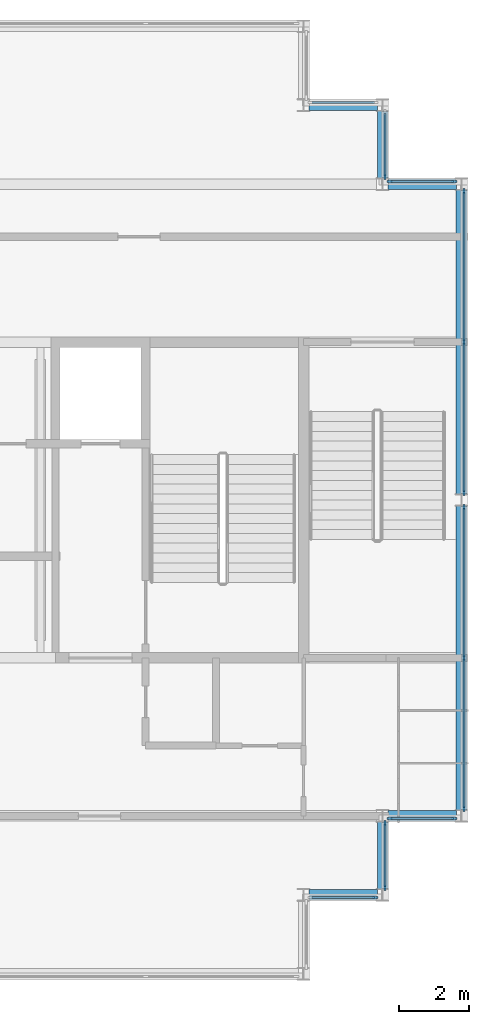
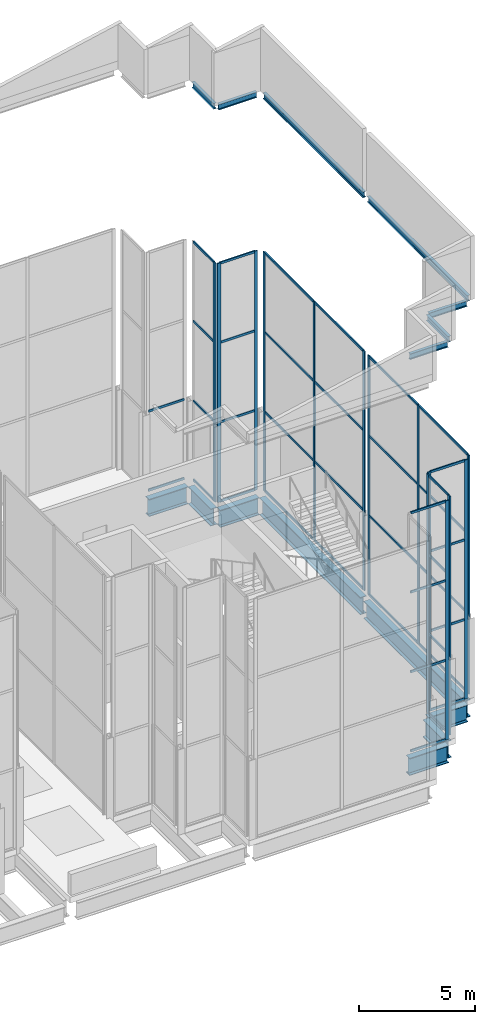
# One storey, part 9 of 23: 52 members, 15 beams, 8 elements without a shape of their own.
"""IFC4 building model written with IfcOpenShell, lengths in metres."""

from ifc_helpers import new_model, si_unit, direction, frame, origin, origin_2d, place, context, subcontext, project, spatial, rectangle, i_section, extrude, material, layer, layer_set, material_profile, profile_set, type_object, element, aggregate, save


model = new_model("IFC4")

# Units and contexts
model_context = context("Model", 3, precision=1e-05, world=origin(), true_north=direction((0.0, 1.0)))
body_context = subcontext(model_context, "Body", "Model", "MODEL_VIEW")
ifc_project = project(units=[si_unit("LENGTHUNIT", "METRE"), si_unit("AREAUNIT", "SQUARE_METRE"), si_unit("VOLUMEUNIT", "CUBIC_METRE"), si_unit("PLANEANGLEUNIT", "RADIAN"), si_unit("MASSUNIT", "GRAM", prefix="KILO")], contexts=[model_context])

# Site, building, storey
site_placement = place(None, origin())
site = spatial("IfcSite", under=ifc_project, at=site_placement, CompositionType="ELEMENT")
building_placement = place(site_placement, origin())
building = spatial("IfcBuilding", under=site, at=building_placement, Name="Caravel Reach Hotel and Residences", CompositionType="ELEMENT")
storey_placement = place(building_placement, frame((0.0, 0.0, 312.800048828125)))
storey = spatial("IfcBuildingStorey", under=building, at=storey_placement, Name="L79", CompositionType="ELEMENT", Elevation=312.800048828125)

# Beams
ifc_material_1 = material(Name="Structural steel Q355B", Category="steel")
ifc_material_profile_1 = material_profile(ifc_material_1, i_section(OverallWidth=0.14990234375, OverallDepth=0.300048828125, WebThickness=0.006591796875, FlangeThickness=0.009033203125, FilletRadius=0.012939453125, at=origin_2d()), Name="HN 300x150x6.5x9")
ifc_profile_set_1 = profile_set([ifc_material_profile_1], Name="Structural steel Q355B")
beam_type_1 = type_object("IfcBeamType", Name="Beam HN 300x150x6.5x9", PredefinedType="BEAM", material=ifc_profile_set_1)
for number, where, z_axis, x_axis, name in (
    (1, (45.175048828125, 15.675048828125, 20.849853515625), (1.0, 0.0, 0.0), (0.0, 1.0, 0.0), "Eave tie beam east 2.1"),
    (2, (47.324951171875, 15.925048828125, 20.849853515625), (0.0, 1.0, 0.0), (-1.0, 0.0, 0.0), "Eave tie beam east 3.1"),
    (3, (47.425048828125, 17.925048828125, 20.849853515625), (1.0, 0.0, 0.0), (0.0, 1.0, 0.0), "Eave tie beam east 4.1"),
):
    element("IfcBeam", number, at=place(storey_placement, frame(where, z_axis=z_axis, x_axis=x_axis)), inside=storey, type_object=beam_type_1, Name=name, PredefinedType="BEAM", context=body_context, shape_type="SweptSolid", body=[
        extrude(i_section(OverallWidth=0.14990234375, OverallDepth=0.300048828125, WebThickness=0.006591796875, FlangeThickness=0.009033203125, FilletRadius=0.012939453125, at=origin_2d()), origin(), (0.0, 0.0, 1.0), 1.89990234375),
    ])
for number, where, z_axis, x_axis, name in (
    (4, (49.574951171875, 18.175048828125, 20.849853515625), (0.0, 1.0, 0.0), (-1.0, 0.0, 0.0), "Eave tie beam east 5.1"),
    (5, (49.574951171875, 27.175048828125, 20.849853515625), (0.0, 1.0, 0.0), (-1.0, 0.0, 0.0), "Eave tie beam east 5.2"),
):
    element("IfcBeam", number, at=place(storey_placement, frame(where, z_axis=z_axis, x_axis=x_axis)), inside=storey, type_object=beam_type_1, Name=name, PredefinedType="BEAM", context=body_context, shape_type="SweptSolid", body=[
        extrude(i_section(OverallWidth=0.14990234375, OverallDepth=0.300048828125, WebThickness=0.006591796875, FlangeThickness=0.009033203125, FilletRadius=0.012939453125, at=origin_2d()), origin(), (0.0, 0.0, 1.0), 8.64990234375),
    ])
for number, where, z_axis, x_axis, name in (
    (6, (49.324951171875, 36.074951171875, 20.849853515625), (-1.0, 0.0, 0.0), (0.0, -1.0, 0.0), "Eave tie beam east 6.1"),
    (7, (47.324951171875, 36.175048828125, 20.849853515625), (0.0, 1.0, 0.0), (-1.0, 0.0, 0.0), "Eave tie beam east 7.1"),
):
    element("IfcBeam", number, at=place(storey_placement, frame(where, z_axis=z_axis, x_axis=x_axis)), inside=storey, type_object=beam_type_1, Name=name, PredefinedType="BEAM", context=body_context, shape_type="SweptSolid", body=[
        extrude(i_section(OverallWidth=0.14990234375, OverallDepth=0.300048828125, WebThickness=0.006591796875, FlangeThickness=0.009033203125, FilletRadius=0.012939453125, at=origin_2d()), origin(), (0.0, 0.0, 1.0), 1.89990234375),
    ])
ifc_material_2 = material(Name="Structural steel Q355B", Category="steel")
ifc_material_profile_2 = material_profile(ifc_material_2, i_section(OverallWidth=0.302001953125, OverallDepth=0.912109375, WebThickness=0.01806640625, FlangeThickness=0.033935546875, FilletRadius=0.01806640625, at=origin_2d()), Name="HN 900x300x18x34")
ifc_profile_set_2 = profile_set([ifc_material_profile_2], Name="Structural steel Q355B")
beam_type_2 = type_object("IfcBeamType", Name="Beam HN 900x300x18x34", PredefinedType="BEAM", material=ifc_profile_set_2)
for number, where, z_axis, x_axis, name in (
    (8, (45.14990234375, 15.75, -0.756103515625), (1.0, 0.0, 0.0), (0.0, 1.0, 0.0), "B10 HN 900x300x18x34"),
    (9, (47.25, 15.89990234375, -0.756103515625), (0.0, 1.0, 0.0), (-1.0, 0.0, 0.0), "B10 HN 900x300x18x34"),
    (10, (47.39990234375, 18.0, -0.756103515625), (1.0, 0.0, 0.0), (0.0, 1.0, 0.0), "B10 HN 900x300x18x34"),
):
    element("IfcBeam", number, at=place(storey_placement, frame(where, z_axis=z_axis, x_axis=x_axis)), inside=storey, type_object=beam_type_2, Name=name, PredefinedType="BEAM", context=body_context, shape_type="SweptSolid", body=[
        extrude(i_section(OverallWidth=0.302001953125, OverallDepth=0.912109375, WebThickness=0.01806640625, FlangeThickness=0.033935546875, FilletRadius=0.01806640625, at=origin_2d()), origin(), (0.0, 0.0, 1.0), 1.9501953125),
    ])
for number, where, z_axis, x_axis, name in (
    (11, (49.5, 18.14990234375, -0.756103515625), (0.0, 1.0, 0.0), (-1.0, 0.0, 0.0), "B10 HN 900x300x18x34"),
    (12, (49.5, 27.14990234375, -0.756103515625), (0.0, 1.0, 0.0), (-1.0, 0.0, 0.0), "B10 HN 900x300x18x34"),
):
    element("IfcBeam", number, at=place(storey_placement, frame(where, z_axis=z_axis, x_axis=x_axis)), inside=storey, type_object=beam_type_2, Name=name, PredefinedType="BEAM", context=body_context, shape_type="SweptSolid", body=[
        extrude(i_section(OverallWidth=0.302001953125, OverallDepth=0.912109375, WebThickness=0.01806640625, FlangeThickness=0.033935546875, FilletRadius=0.01806640625, at=origin_2d()), origin(), (0.0, 0.0, 1.0), 8.7001953125),
    ])
for number, where, z_axis, x_axis, name in (
    (13, (49.35009765625, 36.0, -0.756103515625), (-1.0, 0.0, 0.0), (0.0, -1.0, 0.0), "B10 HN 900x300x18x34"),
    (14, (47.25, 36.14990234375, -0.756103515625), (0.0, 1.0, 0.0), (-1.0, 0.0, 0.0), "B10 HN 900x300x18x34"),
    (15, (47.10009765625, 38.25, -0.756103515625), (-1.0, 0.0, 0.0), (0.0, -1.0, 0.0), "B10 HN 900x300x18x34"),
):
    element("IfcBeam", number, at=place(storey_placement, frame(where, z_axis=z_axis, x_axis=x_axis)), inside=storey, type_object=beam_type_2, Name=name, PredefinedType="BEAM", context=body_context, shape_type="SweptSolid", body=[
        extrude(i_section(OverallWidth=0.302001953125, OverallDepth=0.912109375, WebThickness=0.01806640625, FlangeThickness=0.033935546875, FilletRadius=0.01806640625, at=origin_2d()), origin(), (0.0, 0.0, 1.0), 1.9501953125),
    ])

# Curtain wall, member
ifc_material_3 = material(Name="Dark low-e glazing in black aluminium frame", Category="aluminium")
ifc_layer = layer(ifc_material_3, 0.199951171875)
ifc_layer_set = layer_set([ifc_layer], Name="CW4 Crown glazing")
curtain_wall_type = type_object("IfcCurtainWallType", Name="CW4 Crown glazing", PredefinedType="NOTDEFINED", material=ifc_layer_set)
curtain_wall_1_placement = place(storey_placement, origin())
curtain_wall_1 = element("IfcCurtainWall", 16, at=curtain_wall_1_placement, inside=storey, type_object=curtain_wall_type, Name="Crown glazing b0", PredefinedType="NOTDEFINED")
ifc_material_4 = material(Name="Anodised aluminium alloy 6063-T5, black", Category="aluminium")
ifc_material_profile_3 = material_profile(ifc_material_4, rectangle(XDim=0.06005859375, YDim=0.159912109375, at=origin_2d()), Name="CW mullion 60 x 160")
ifc_profile_set_3 = profile_set([ifc_material_profile_3], Name="Anodised aluminium alloy 6063-T5, black")
member_type_1 = type_object("IfcMemberType", Name="CW mullion 60 x 160", PredefinedType="MULLION", material=ifc_profile_set_3)
member_1_placement = place(storey_placement, frame((47.044921875, 15.675048828125, 0.0), z_axis=(0.0, 0.0, 1.0), x_axis=(0.0, 1.0, 0.0)))
member_1 = element("IfcMember", 17, at=member_1_placement, type_object=member_type_1, Name="CW4 mullion 2", PredefinedType="MULLION", context=body_context, shape_type="SweptSolid", body=[
    extrude(rectangle(XDim=0.06005859375, YDim=0.159912109375, at=origin_2d()), origin(), (0.0, 0.0, 1.0), 12.599853515625),
])

# Curtain wall, members
curtain_wall_2_placement = place(storey_placement, origin())
curtain_wall_2 = element("IfcCurtainWall", 18, at=curtain_wall_2_placement, inside=storey, type_object=curtain_wall_type, Name="Crown glazing b0", PredefinedType="NOTDEFINED")
member_2_placement = place(storey_placement, frame((47.324951171875, 15.955078125, 0.0), z_axis=(0.0, 0.0, 1.0), x_axis=(-1.0, 0.0, 0.0)))
member_2 = element("IfcMember", 19, at=member_2_placement, type_object=member_type_1, Name="CW4 mullion 1", PredefinedType="MULLION", context=body_context, shape_type="SweptSolid", body=[
    extrude(rectangle(XDim=0.06005859375, YDim=0.159912109375, at=origin_2d()), origin(), (0.0, 0.0, 1.0), 12.599853515625),
])
member_3_placement = place(storey_placement, frame((47.324951171875, 17.794921875, 0.0), z_axis=(0.0, 0.0, 1.0), x_axis=(-1.0, 0.0, 0.0)))
member_3 = element("IfcMember", 20, at=member_3_placement, type_object=member_type_1, Name="CW4 mullion 2", PredefinedType="MULLION", context=body_context, shape_type="SweptSolid", body=[
    extrude(rectangle(XDim=0.06005859375, YDim=0.159912109375, at=origin_2d()), origin(), (0.0, 0.0, 1.0), 12.599853515625),
])

curtain_wall_3_placement = place(storey_placement, origin())
curtain_wall_3 = element("IfcCurtainWall", 21, at=curtain_wall_3_placement, inside=storey, type_object=curtain_wall_type, Name="Crown glazing b0", PredefinedType="NOTDEFINED")
member_4_placement = place(storey_placement, frame((47.455078125, 17.925048828125, 0.0), z_axis=(0.0, 0.0, 1.0), x_axis=(0.0, 1.0, 0.0)))
member_4 = element("IfcMember", 22, at=member_4_placement, type_object=member_type_1, Name="CW4 mullion 1", PredefinedType="MULLION", context=body_context, shape_type="SweptSolid", body=[
    extrude(rectangle(XDim=0.06005859375, YDim=0.159912109375, at=origin_2d()), origin(), (0.0, 0.0, 1.0), 12.599853515625),
])
member_5_placement = place(storey_placement, frame((49.294921875, 17.925048828125, 0.0), z_axis=(0.0, 0.0, 1.0), x_axis=(0.0, 1.0, 0.0)))
member_5 = element("IfcMember", 23, at=member_5_placement, type_object=member_type_1, Name="CW4 mullion 2", PredefinedType="MULLION", context=body_context, shape_type="SweptSolid", body=[
    extrude(rectangle(XDim=0.06005859375, YDim=0.159912109375, at=origin_2d()), origin(), (0.0, 0.0, 1.0), 12.599853515625),
])

curtain_wall_4_placement = place(storey_placement, origin())
curtain_wall_4 = element("IfcCurtainWall", 24, at=curtain_wall_4_placement, inside=storey, type_object=curtain_wall_type, Name="Crown glazing b0", PredefinedType="NOTDEFINED")
member_6_placement = place(storey_placement, frame((49.574951171875, 18.205078125, 0.0), z_axis=(0.0, 0.0, 1.0), x_axis=(-1.0, 0.0, 0.0)))
member_6 = element("IfcMember", 25, at=member_6_placement, type_object=member_type_1, Name="CW4 mullion 1", PredefinedType="MULLION", context=body_context, shape_type="SweptSolid", body=[
    extrude(rectangle(XDim=0.06005859375, YDim=0.159912109375, at=origin_2d()), origin(), (0.0, 0.0, 1.0), 12.599853515625),
])
member_7_placement = place(storey_placement, frame((49.574951171875, 22.5, 0.0), z_axis=(0.0, 0.0, 1.0), x_axis=(-1.0, 0.0, 0.0)))
member_7 = element("IfcMember", 26, at=member_7_placement, type_object=member_type_1, Name="CW4 mullion 2", PredefinedType="MULLION", context=body_context, shape_type="SweptSolid", body=[
    extrude(rectangle(XDim=0.06005859375, YDim=0.159912109375, at=origin_2d()), origin(), (0.0, 0.0, 1.0), 12.599853515625),
])
member_8_placement = place(storey_placement, frame((49.574951171875, 26.794921875, 0.0), z_axis=(0.0, 0.0, 1.0), x_axis=(-1.0, 0.0, 0.0)))
member_8 = element("IfcMember", 27, at=member_8_placement, type_object=member_type_1, Name="CW4 mullion 3", PredefinedType="MULLION", context=body_context, shape_type="SweptSolid", body=[
    extrude(rectangle(XDim=0.06005859375, YDim=0.159912109375, at=origin_2d()), origin(), (0.0, 0.0, 1.0), 12.599853515625),
])

curtain_wall_5_placement = place(storey_placement, origin())
curtain_wall_5 = element("IfcCurtainWall", 28, at=curtain_wall_5_placement, inside=storey, type_object=curtain_wall_type, Name="Crown glazing b1", PredefinedType="NOTDEFINED")
member_9_placement = place(storey_placement, frame((49.574951171875, 27.205078125, 0.0), z_axis=(0.0, 0.0, 1.0), x_axis=(-1.0, 0.0, 0.0)))
member_9 = element("IfcMember", 29, at=member_9_placement, type_object=member_type_1, Name="CW4 mullion 1", PredefinedType="MULLION", context=body_context, shape_type="SweptSolid", body=[
    extrude(rectangle(XDim=0.06005859375, YDim=0.159912109375, at=origin_2d()), origin(), (0.0, 0.0, 1.0), 12.599853515625),
])
member_10_placement = place(storey_placement, frame((49.574951171875, 31.5, 0.0), z_axis=(0.0, 0.0, 1.0), x_axis=(-1.0, 0.0, 0.0)))
member_10 = element("IfcMember", 30, at=member_10_placement, type_object=member_type_1, Name="CW4 mullion 2", PredefinedType="MULLION", context=body_context, shape_type="SweptSolid", body=[
    extrude(rectangle(XDim=0.06005859375, YDim=0.159912109375, at=origin_2d()), origin(), (0.0, 0.0, 1.0), 12.599853515625),
])
member_11_placement = place(storey_placement, frame((49.574951171875, 35.794921875, 0.0), z_axis=(0.0, 0.0, 1.0), x_axis=(-1.0, 0.0, 0.0)))
member_11 = element("IfcMember", 31, at=member_11_placement, type_object=member_type_1, Name="CW4 mullion 3", PredefinedType="MULLION", context=body_context, shape_type="SweptSolid", body=[
    extrude(rectangle(XDim=0.06005859375, YDim=0.159912109375, at=origin_2d()), origin(), (0.0, 0.0, 1.0), 12.599853515625),
])

curtain_wall_6_placement = place(storey_placement, origin())
curtain_wall_6 = element("IfcCurtainWall", 32, at=curtain_wall_6_placement, inside=storey, type_object=curtain_wall_type, Name="Crown glazing b0", PredefinedType="NOTDEFINED")
member_12_placement = place(storey_placement, frame((49.294921875, 36.074951171875, 0.0), z_axis=(0.0, 0.0, 1.0), x_axis=(0.0, -1.0, 0.0)))
member_12 = element("IfcMember", 33, at=member_12_placement, type_object=member_type_1, Name="CW4 mullion 1", PredefinedType="MULLION", context=body_context, shape_type="SweptSolid", body=[
    extrude(rectangle(XDim=0.06005859375, YDim=0.159912109375, at=origin_2d()), origin(), (0.0, 0.0, 1.0), 12.599853515625),
])
member_13_placement = place(storey_placement, frame((47.455078125, 36.074951171875, 0.0), z_axis=(0.0, 0.0, 1.0), x_axis=(0.0, -1.0, 0.0)))
member_13 = element("IfcMember", 34, at=member_13_placement, type_object=member_type_1, Name="CW4 mullion 2", PredefinedType="MULLION", context=body_context, shape_type="SweptSolid", body=[
    extrude(rectangle(XDim=0.06005859375, YDim=0.159912109375, at=origin_2d()), origin(), (0.0, 0.0, 1.0), 12.599853515625),
])

# Curtain wall, member
curtain_wall_7_placement = place(storey_placement, origin())
curtain_wall_7 = element("IfcCurtainWall", 35, at=curtain_wall_7_placement, inside=storey, type_object=curtain_wall_type, Name="Crown glazing b0", PredefinedType="NOTDEFINED")
member_14_placement = place(storey_placement, frame((47.324951171875, 36.205078125, 0.0), z_axis=(0.0, 0.0, 1.0), x_axis=(-1.0, 0.0, 0.0)))
member_14 = element("IfcMember", 36, at=member_14_placement, type_object=member_type_1, Name="CW4 mullion 1", PredefinedType="MULLION", context=body_context, shape_type="SweptSolid", body=[
    extrude(rectangle(XDim=0.06005859375, YDim=0.159912109375, at=origin_2d()), origin(), (0.0, 0.0, 1.0), 12.599853515625),
])

# Member
ifc_material_5 = material(Name="Anodised aluminium alloy 6063-T5, black", Category="aluminium")
ifc_material_profile_4 = material_profile(ifc_material_5, rectangle(XDim=0.06005859375, YDim=0.1201171875, at=origin_2d()), Name="CW transom 60 x 120")
ifc_profile_set_4 = profile_set([ifc_material_profile_4], Name="Anodised aluminium alloy 6063-T5, black")
member_type_2 = type_object("IfcMemberType", Name="CW transom 60 x 120", PredefinedType="USERDEFINED", material=ifc_profile_set_4)
member_15_placement = place(storey_placement, frame((45.235107421875, 15.675048828125, 0.030029296875), z_axis=(1.0, 0.0, 0.0), x_axis=(0.0, 1.0, 0.0)))
member_15 = element("IfcMember", 37, at=member_15_placement, type_object=member_type_2, Name="CW4 transom 1.1", ObjectType="TRANSOM", PredefinedType="USERDEFINED", context=body_context, shape_type="SweptSolid", body=[
    extrude(rectangle(XDim=0.06005859375, YDim=0.1201171875, at=origin_2d()), origin(), (0.0, 0.0, 1.0), 1.77978515625),
])

member_16_placement = place(storey_placement, frame((45.235107421875, 15.675048828125, 4.199951171875), z_axis=(1.0, 0.0, 0.0), x_axis=(0.0, 1.0, 0.0)))
member_16 = element("IfcMember", 38, at=member_16_placement, type_object=member_type_2, Name="CW4 transom 1.2", ObjectType="TRANSOM", PredefinedType="USERDEFINED", context=body_context, shape_type="SweptSolid", body=[
    extrude(rectangle(XDim=0.06005859375, YDim=0.1201171875, at=origin_2d()), origin(), (0.0, 0.0, 1.0), 1.77978515625),
])

member_17_placement = place(storey_placement, frame((45.235107421875, 15.675048828125, 8.39990234375), z_axis=(1.0, 0.0, 0.0), x_axis=(0.0, 1.0, 0.0)))
member_17 = element("IfcMember", 39, at=member_17_placement, type_object=member_type_2, Name="CW4 transom 1.3", ObjectType="TRANSOM", PredefinedType="USERDEFINED", context=body_context, shape_type="SweptSolid", body=[
    extrude(rectangle(XDim=0.06005859375, YDim=0.1201171875, at=origin_2d()), origin(), (0.0, 0.0, 1.0), 1.77978515625),
])

member_18_placement = place(storey_placement, frame((45.235107421875, 15.675048828125, 12.570068359375), z_axis=(1.0, 0.0, 0.0), x_axis=(0.0, 1.0, 0.0)))
member_18 = element("IfcMember", 40, at=member_18_placement, type_object=member_type_2, Name="CW4 transom 1.4", ObjectType="TRANSOM", PredefinedType="USERDEFINED", context=body_context, shape_type="SweptSolid", body=[
    extrude(rectangle(XDim=0.06005859375, YDim=0.1201171875, at=origin_2d()), origin(), (0.0, 0.0, 1.0), 1.77978515625),
])

aggregate(curtain_wall_1, [member_1, member_15, member_16, member_17, member_18])

member_19_placement = place(storey_placement, frame((47.324951171875, 15.985107421875, 0.030029296875), z_axis=(0.0, 1.0, 0.0), x_axis=(-1.0, 0.0, 0.0)))
member_19 = element("IfcMember", 41, at=member_19_placement, type_object=member_type_2, Name="CW4 transom 1.1", ObjectType="TRANSOM", PredefinedType="USERDEFINED", context=body_context, shape_type="SweptSolid", body=[
    extrude(rectangle(XDim=0.06005859375, YDim=0.1201171875, at=origin_2d()), origin(), (0.0, 0.0, 1.0), 1.77978515625),
])

member_20_placement = place(storey_placement, frame((47.324951171875, 15.985107421875, 4.199951171875), z_axis=(0.0, 1.0, 0.0), x_axis=(-1.0, 0.0, 0.0)))
member_20 = element("IfcMember", 42, at=member_20_placement, type_object=member_type_2, Name="CW4 transom 1.2", ObjectType="TRANSOM", PredefinedType="USERDEFINED", context=body_context, shape_type="SweptSolid", body=[
    extrude(rectangle(XDim=0.06005859375, YDim=0.1201171875, at=origin_2d()), origin(), (0.0, 0.0, 1.0), 1.77978515625),
])

member_21_placement = place(storey_placement, frame((47.324951171875, 15.985107421875, 8.39990234375), z_axis=(0.0, 1.0, 0.0), x_axis=(-1.0, 0.0, 0.0)))
member_21 = element("IfcMember", 43, at=member_21_placement, type_object=member_type_2, Name="CW4 transom 1.3", ObjectType="TRANSOM", PredefinedType="USERDEFINED", context=body_context, shape_type="SweptSolid", body=[
    extrude(rectangle(XDim=0.06005859375, YDim=0.1201171875, at=origin_2d()), origin(), (0.0, 0.0, 1.0), 1.77978515625),
])

member_22_placement = place(storey_placement, frame((47.324951171875, 15.985107421875, 12.570068359375), z_axis=(0.0, 1.0, 0.0), x_axis=(-1.0, 0.0, 0.0)))
member_22 = element("IfcMember", 44, at=member_22_placement, type_object=member_type_2, Name="CW4 transom 1.4", ObjectType="TRANSOM", PredefinedType="USERDEFINED", context=body_context, shape_type="SweptSolid", body=[
    extrude(rectangle(XDim=0.06005859375, YDim=0.1201171875, at=origin_2d()), origin(), (0.0, 0.0, 1.0), 1.77978515625),
])

aggregate(curtain_wall_2, [member_2, member_3, member_19, member_20, member_21, member_22])

member_23_placement = place(storey_placement, frame((47.485107421875, 17.925048828125, 0.030029296875), z_axis=(1.0, 0.0, 0.0), x_axis=(0.0, 1.0, 0.0)))
member_23 = element("IfcMember", 45, at=member_23_placement, type_object=member_type_2, Name="CW4 transom 1.1", ObjectType="TRANSOM", PredefinedType="USERDEFINED", context=body_context, shape_type="SweptSolid", body=[
    extrude(rectangle(XDim=0.06005859375, YDim=0.1201171875, at=origin_2d()), origin(), (0.0, 0.0, 1.0), 1.77978515625),
])

member_24_placement = place(storey_placement, frame((47.485107421875, 17.925048828125, 4.199951171875), z_axis=(1.0, 0.0, 0.0), x_axis=(0.0, 1.0, 0.0)))
member_24 = element("IfcMember", 46, at=member_24_placement, type_object=member_type_2, Name="CW4 transom 1.2", ObjectType="TRANSOM", PredefinedType="USERDEFINED", context=body_context, shape_type="SweptSolid", body=[
    extrude(rectangle(XDim=0.06005859375, YDim=0.1201171875, at=origin_2d()), origin(), (0.0, 0.0, 1.0), 1.77978515625),
])

member_25_placement = place(storey_placement, frame((47.485107421875, 17.925048828125, 8.39990234375), z_axis=(1.0, 0.0, 0.0), x_axis=(0.0, 1.0, 0.0)))
member_25 = element("IfcMember", 47, at=member_25_placement, type_object=member_type_2, Name="CW4 transom 1.3", ObjectType="TRANSOM", PredefinedType="USERDEFINED", context=body_context, shape_type="SweptSolid", body=[
    extrude(rectangle(XDim=0.06005859375, YDim=0.1201171875, at=origin_2d()), origin(), (0.0, 0.0, 1.0), 1.77978515625),
])

member_26_placement = place(storey_placement, frame((47.485107421875, 17.925048828125, 12.570068359375), z_axis=(1.0, 0.0, 0.0), x_axis=(0.0, 1.0, 0.0)))
member_26 = element("IfcMember", 48, at=member_26_placement, type_object=member_type_2, Name="CW4 transom 1.4", ObjectType="TRANSOM", PredefinedType="USERDEFINED", context=body_context, shape_type="SweptSolid", body=[
    extrude(rectangle(XDim=0.06005859375, YDim=0.1201171875, at=origin_2d()), origin(), (0.0, 0.0, 1.0), 1.77978515625),
])

aggregate(curtain_wall_3, [member_4, member_5, member_23, member_24, member_25, member_26])

member_27_placement = place(storey_placement, frame((49.574951171875, 18.235107421875, 0.030029296875), z_axis=(0.0, 1.0, 0.0), x_axis=(-1.0, 0.0, 0.0)))
member_27 = element("IfcMember", 49, at=member_27_placement, type_object=member_type_2, Name="CW4 transom 1.1", ObjectType="TRANSOM", PredefinedType="USERDEFINED", context=body_context, shape_type="SweptSolid", body=[
    extrude(rectangle(XDim=0.06005859375, YDim=0.1201171875, at=origin_2d()), origin(), (0.0, 0.0, 1.0), 4.23486328125),
])

member_28_placement = place(storey_placement, frame((49.574951171875, 18.235107421875, 4.199951171875), z_axis=(0.0, 1.0, 0.0), x_axis=(-1.0, 0.0, 0.0)))
member_28 = element("IfcMember", 50, at=member_28_placement, type_object=member_type_2, Name="CW4 transom 1.2", ObjectType="TRANSOM", PredefinedType="USERDEFINED", context=body_context, shape_type="SweptSolid", body=[
    extrude(rectangle(XDim=0.06005859375, YDim=0.1201171875, at=origin_2d()), origin(), (0.0, 0.0, 1.0), 4.23486328125),
])

member_29_placement = place(storey_placement, frame((49.574951171875, 18.235107421875, 8.39990234375), z_axis=(0.0, 1.0, 0.0), x_axis=(-1.0, 0.0, 0.0)))
member_29 = element("IfcMember", 51, at=member_29_placement, type_object=member_type_2, Name="CW4 transom 1.3", ObjectType="TRANSOM", PredefinedType="USERDEFINED", context=body_context, shape_type="SweptSolid", body=[
    extrude(rectangle(XDim=0.06005859375, YDim=0.1201171875, at=origin_2d()), origin(), (0.0, 0.0, 1.0), 4.23486328125),
])

member_30_placement = place(storey_placement, frame((49.574951171875, 18.235107421875, 12.570068359375), z_axis=(0.0, 1.0, 0.0), x_axis=(-1.0, 0.0, 0.0)))
member_30 = element("IfcMember", 52, at=member_30_placement, type_object=member_type_2, Name="CW4 transom 1.4", ObjectType="TRANSOM", PredefinedType="USERDEFINED", context=body_context, shape_type="SweptSolid", body=[
    extrude(rectangle(XDim=0.06005859375, YDim=0.1201171875, at=origin_2d()), origin(), (0.0, 0.0, 1.0), 4.23486328125),
])

member_31_placement = place(storey_placement, frame((49.574951171875, 22.530029296875, 0.030029296875), z_axis=(0.0, 1.0, 0.0), x_axis=(-1.0, 0.0, 0.0)))
member_31 = element("IfcMember", 53, at=member_31_placement, type_object=member_type_2, Name="CW4 transom 2.1", ObjectType="TRANSOM", PredefinedType="USERDEFINED", context=body_context, shape_type="SweptSolid", body=[
    extrude(rectangle(XDim=0.06005859375, YDim=0.1201171875, at=origin_2d()), origin(), (0.0, 0.0, 1.0), 4.23486328125),
])

member_32_placement = place(storey_placement, frame((49.574951171875, 22.530029296875, 4.199951171875), z_axis=(0.0, 1.0, 0.0), x_axis=(-1.0, 0.0, 0.0)))
member_32 = element("IfcMember", 54, at=member_32_placement, type_object=member_type_2, Name="CW4 transom 2.2", ObjectType="TRANSOM", PredefinedType="USERDEFINED", context=body_context, shape_type="SweptSolid", body=[
    extrude(rectangle(XDim=0.06005859375, YDim=0.1201171875, at=origin_2d()), origin(), (0.0, 0.0, 1.0), 4.23486328125),
])

member_33_placement = place(storey_placement, frame((49.574951171875, 22.530029296875, 8.39990234375), z_axis=(0.0, 1.0, 0.0), x_axis=(-1.0, 0.0, 0.0)))
member_33 = element("IfcMember", 55, at=member_33_placement, type_object=member_type_2, Name="CW4 transom 2.3", ObjectType="TRANSOM", PredefinedType="USERDEFINED", context=body_context, shape_type="SweptSolid", body=[
    extrude(rectangle(XDim=0.06005859375, YDim=0.1201171875, at=origin_2d()), origin(), (0.0, 0.0, 1.0), 4.23486328125),
])

member_34_placement = place(storey_placement, frame((49.574951171875, 22.530029296875, 12.570068359375), z_axis=(0.0, 1.0, 0.0), x_axis=(-1.0, 0.0, 0.0)))
member_34 = element("IfcMember", 56, at=member_34_placement, type_object=member_type_2, Name="CW4 transom 2.4", ObjectType="TRANSOM", PredefinedType="USERDEFINED", context=body_context, shape_type="SweptSolid", body=[
    extrude(rectangle(XDim=0.06005859375, YDim=0.1201171875, at=origin_2d()), origin(), (0.0, 0.0, 1.0), 4.23486328125),
])

aggregate(curtain_wall_4, [member_6, member_7, member_8, member_27, member_28, member_29, member_30, member_31, member_32, member_33, member_34])

member_35_placement = place(storey_placement, frame((49.574951171875, 27.235107421875, 0.030029296875), z_axis=(0.0, 1.0, 0.0), x_axis=(-1.0, 0.0, 0.0)))
member_35 = element("IfcMember", 57, at=member_35_placement, type_object=member_type_2, Name="CW4 transom 1.1", ObjectType="TRANSOM", PredefinedType="USERDEFINED", context=body_context, shape_type="SweptSolid", body=[
    extrude(rectangle(XDim=0.06005859375, YDim=0.1201171875, at=origin_2d()), origin(), (0.0, 0.0, 1.0), 4.23486328125),
])

member_36_placement = place(storey_placement, frame((49.574951171875, 27.235107421875, 4.199951171875), z_axis=(0.0, 1.0, 0.0), x_axis=(-1.0, 0.0, 0.0)))
member_36 = element("IfcMember", 58, at=member_36_placement, type_object=member_type_2, Name="CW4 transom 1.2", ObjectType="TRANSOM", PredefinedType="USERDEFINED", context=body_context, shape_type="SweptSolid", body=[
    extrude(rectangle(XDim=0.06005859375, YDim=0.1201171875, at=origin_2d()), origin(), (0.0, 0.0, 1.0), 4.23486328125),
])

member_37_placement = place(storey_placement, frame((49.574951171875, 27.235107421875, 8.39990234375), z_axis=(0.0, 1.0, 0.0), x_axis=(-1.0, 0.0, 0.0)))
member_37 = element("IfcMember", 59, at=member_37_placement, type_object=member_type_2, Name="CW4 transom 1.3", ObjectType="TRANSOM", PredefinedType="USERDEFINED", context=body_context, shape_type="SweptSolid", body=[
    extrude(rectangle(XDim=0.06005859375, YDim=0.1201171875, at=origin_2d()), origin(), (0.0, 0.0, 1.0), 4.23486328125),
])

member_38_placement = place(storey_placement, frame((49.574951171875, 27.235107421875, 12.570068359375), z_axis=(0.0, 1.0, 0.0), x_axis=(-1.0, 0.0, 0.0)))
member_38 = element("IfcMember", 60, at=member_38_placement, type_object=member_type_2, Name="CW4 transom 1.4", ObjectType="TRANSOM", PredefinedType="USERDEFINED", context=body_context, shape_type="SweptSolid", body=[
    extrude(rectangle(XDim=0.06005859375, YDim=0.1201171875, at=origin_2d()), origin(), (0.0, 0.0, 1.0), 4.23486328125),
])

member_39_placement = place(storey_placement, frame((49.574951171875, 31.530029296875, 0.030029296875), z_axis=(0.0, 1.0, 0.0), x_axis=(-1.0, 0.0, 0.0)))
member_39 = element("IfcMember", 61, at=member_39_placement, type_object=member_type_2, Name="CW4 transom 2.1", ObjectType="TRANSOM", PredefinedType="USERDEFINED", context=body_context, shape_type="SweptSolid", body=[
    extrude(rectangle(XDim=0.06005859375, YDim=0.1201171875, at=origin_2d()), origin(), (0.0, 0.0, 1.0), 4.23486328125),
])

member_40_placement = place(storey_placement, frame((49.574951171875, 31.530029296875, 4.199951171875), z_axis=(0.0, 1.0, 0.0), x_axis=(-1.0, 0.0, 0.0)))
member_40 = element("IfcMember", 62, at=member_40_placement, type_object=member_type_2, Name="CW4 transom 2.2", ObjectType="TRANSOM", PredefinedType="USERDEFINED", context=body_context, shape_type="SweptSolid", body=[
    extrude(rectangle(XDim=0.06005859375, YDim=0.1201171875, at=origin_2d()), origin(), (0.0, 0.0, 1.0), 4.23486328125),
])

member_41_placement = place(storey_placement, frame((49.574951171875, 31.530029296875, 8.39990234375), z_axis=(0.0, 1.0, 0.0), x_axis=(-1.0, 0.0, 0.0)))
member_41 = element("IfcMember", 63, at=member_41_placement, type_object=member_type_2, Name="CW4 transom 2.3", ObjectType="TRANSOM", PredefinedType="USERDEFINED", context=body_context, shape_type="SweptSolid", body=[
    extrude(rectangle(XDim=0.06005859375, YDim=0.1201171875, at=origin_2d()), origin(), (0.0, 0.0, 1.0), 4.23486328125),
])

member_42_placement = place(storey_placement, frame((49.574951171875, 31.530029296875, 12.570068359375), z_axis=(0.0, 1.0, 0.0), x_axis=(-1.0, 0.0, 0.0)))
member_42 = element("IfcMember", 64, at=member_42_placement, type_object=member_type_2, Name="CW4 transom 2.4", ObjectType="TRANSOM", PredefinedType="USERDEFINED", context=body_context, shape_type="SweptSolid", body=[
    extrude(rectangle(XDim=0.06005859375, YDim=0.1201171875, at=origin_2d()), origin(), (0.0, 0.0, 1.0), 4.23486328125),
])

aggregate(curtain_wall_5, [member_9, member_10, member_11, member_35, member_36, member_37, member_38, member_39, member_40, member_41, member_42])

member_43_placement = place(storey_placement, frame((49.264892578125, 36.074951171875, 0.030029296875), z_axis=(-1.0, 0.0, 0.0), x_axis=(0.0, -1.0, 0.0)))
member_43 = element("IfcMember", 65, at=member_43_placement, type_object=member_type_2, Name="CW4 transom 1.1", ObjectType="TRANSOM", PredefinedType="USERDEFINED", context=body_context, shape_type="SweptSolid", body=[
    extrude(rectangle(XDim=0.06005859375, YDim=0.1201171875, at=origin_2d()), origin(), (0.0, 0.0, 1.0), 1.77978515625),
])

member_44_placement = place(storey_placement, frame((49.264892578125, 36.074951171875, 4.199951171875), z_axis=(-1.0, 0.0, 0.0), x_axis=(0.0, -1.0, 0.0)))
member_44 = element("IfcMember", 66, at=member_44_placement, type_object=member_type_2, Name="CW4 transom 1.2", ObjectType="TRANSOM", PredefinedType="USERDEFINED", context=body_context, shape_type="SweptSolid", body=[
    extrude(rectangle(XDim=0.06005859375, YDim=0.1201171875, at=origin_2d()), origin(), (0.0, 0.0, 1.0), 1.77978515625),
])

member_45_placement = place(storey_placement, frame((49.264892578125, 36.074951171875, 8.39990234375), z_axis=(-1.0, 0.0, 0.0), x_axis=(0.0, -1.0, 0.0)))
member_45 = element("IfcMember", 67, at=member_45_placement, type_object=member_type_2, Name="CW4 transom 1.3", ObjectType="TRANSOM", PredefinedType="USERDEFINED", context=body_context, shape_type="SweptSolid", body=[
    extrude(rectangle(XDim=0.06005859375, YDim=0.1201171875, at=origin_2d()), origin(), (0.0, 0.0, 1.0), 1.77978515625),
])

member_46_placement = place(storey_placement, frame((49.264892578125, 36.074951171875, 12.570068359375), z_axis=(-1.0, 0.0, 0.0), x_axis=(0.0, -1.0, 0.0)))
member_46 = element("IfcMember", 68, at=member_46_placement, type_object=member_type_2, Name="CW4 transom 1.4", ObjectType="TRANSOM", PredefinedType="USERDEFINED", context=body_context, shape_type="SweptSolid", body=[
    extrude(rectangle(XDim=0.06005859375, YDim=0.1201171875, at=origin_2d()), origin(), (0.0, 0.0, 1.0), 1.77978515625),
])

aggregate(curtain_wall_6, [member_12, member_13, member_43, member_44, member_45, member_46])

member_47_placement = place(storey_placement, frame((47.324951171875, 36.235107421875, 0.030029296875), z_axis=(0.0, 1.0, 0.0), x_axis=(-1.0, 0.0, 0.0)))
member_47 = element("IfcMember", 69, at=member_47_placement, type_object=member_type_2, Name="CW4 transom 1.1", ObjectType="TRANSOM", PredefinedType="USERDEFINED", context=body_context, shape_type="SweptSolid", body=[
    extrude(rectangle(XDim=0.06005859375, YDim=0.1201171875, at=origin_2d()), origin(), (0.0, 0.0, 1.0), 1.77978515625),
])

member_48_placement = place(storey_placement, frame((47.324951171875, 36.235107421875, 4.199951171875), z_axis=(0.0, 1.0, 0.0), x_axis=(-1.0, 0.0, 0.0)))
member_48 = element("IfcMember", 70, at=member_48_placement, type_object=member_type_2, Name="CW4 transom 1.2", ObjectType="TRANSOM", PredefinedType="USERDEFINED", context=body_context, shape_type="SweptSolid", body=[
    extrude(rectangle(XDim=0.06005859375, YDim=0.1201171875, at=origin_2d()), origin(), (0.0, 0.0, 1.0), 1.77978515625),
])

member_49_placement = place(storey_placement, frame((47.324951171875, 36.235107421875, 8.39990234375), z_axis=(0.0, 1.0, 0.0), x_axis=(-1.0, 0.0, 0.0)))
member_49 = element("IfcMember", 71, at=member_49_placement, type_object=member_type_2, Name="CW4 transom 1.3", ObjectType="TRANSOM", PredefinedType="USERDEFINED", context=body_context, shape_type="SweptSolid", body=[
    extrude(rectangle(XDim=0.06005859375, YDim=0.1201171875, at=origin_2d()), origin(), (0.0, 0.0, 1.0), 1.77978515625),
])

member_50_placement = place(storey_placement, frame((47.324951171875, 36.235107421875, 12.570068359375), z_axis=(0.0, 1.0, 0.0), x_axis=(-1.0, 0.0, 0.0)))
member_50 = element("IfcMember", 72, at=member_50_placement, type_object=member_type_2, Name="CW4 transom 1.4", ObjectType="TRANSOM", PredefinedType="USERDEFINED", context=body_context, shape_type="SweptSolid", body=[
    extrude(rectangle(XDim=0.06005859375, YDim=0.1201171875, at=origin_2d()), origin(), (0.0, 0.0, 1.0), 1.77978515625),
])

aggregate(curtain_wall_7, [member_14, member_47, member_48, member_49, member_50])

# Curtain wall, members
curtain_wall_8_placement = place(storey_placement, origin())
curtain_wall_8 = element("IfcCurtainWall", 73, at=curtain_wall_8_placement, inside=storey, type_object=curtain_wall_type, Name="Crown glazing b0", PredefinedType="NOTDEFINED")
member_51_placement = place(storey_placement, frame((47.014892578125, 38.324951171875, 0.030029296875), z_axis=(-1.0, 0.0, 0.0), x_axis=(0.0, -1.0, 0.0)))
member_51 = element("IfcMember", 74, at=member_51_placement, type_object=member_type_2, Name="CW4 transom 1.1", ObjectType="TRANSOM", PredefinedType="USERDEFINED", context=body_context, shape_type="SweptSolid", body=[
    extrude(rectangle(XDim=0.06005859375, YDim=0.1201171875, at=origin_2d()), origin(), (0.0, 0.0, 1.0), 1.77978515625),
])
member_52_placement = place(storey_placement, frame((47.014892578125, 38.324951171875, 4.199951171875), z_axis=(-1.0, 0.0, 0.0), x_axis=(0.0, -1.0, 0.0)))
member_52 = element("IfcMember", 75, at=member_52_placement, type_object=member_type_2, Name="CW4 transom 1.2", ObjectType="TRANSOM", PredefinedType="USERDEFINED", context=body_context, shape_type="SweptSolid", body=[
    extrude(rectangle(XDim=0.06005859375, YDim=0.1201171875, at=origin_2d()), origin(), (0.0, 0.0, 1.0), 1.77978515625),
])
aggregate(curtain_wall_8, [member_51, member_52])

save(model, "model.ifc")
